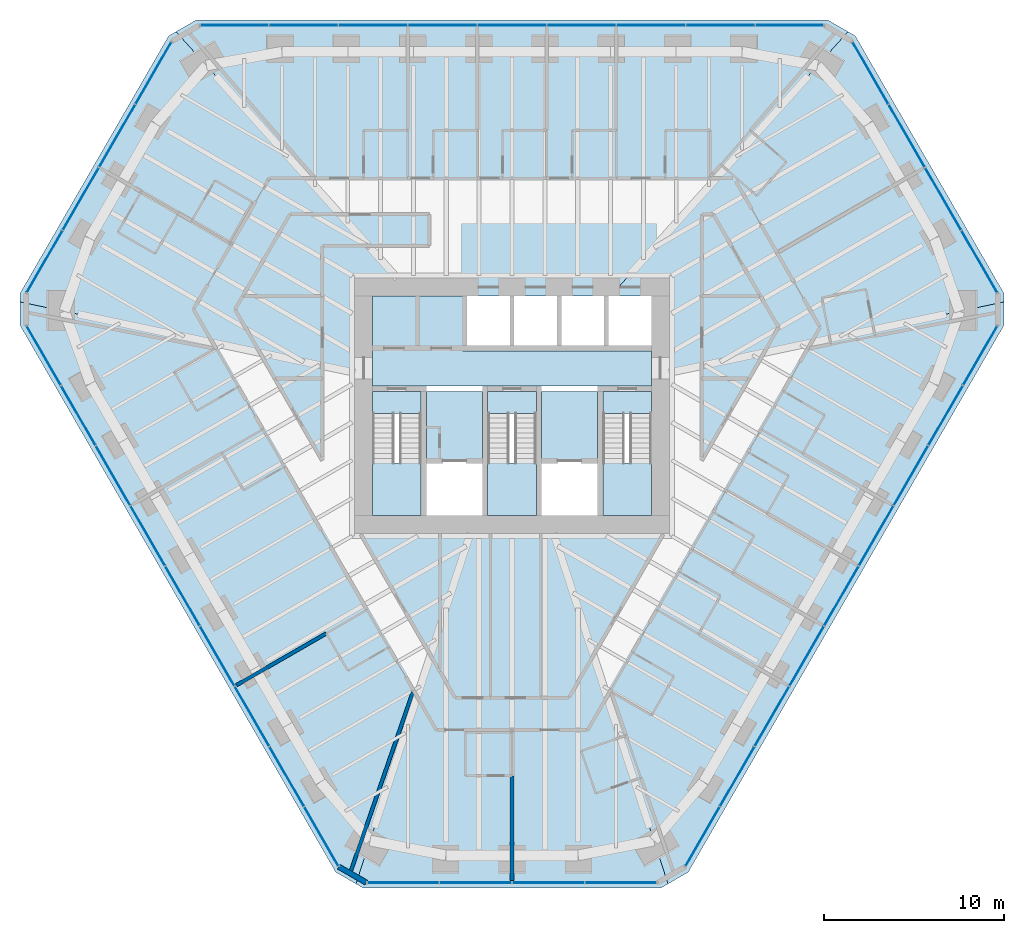
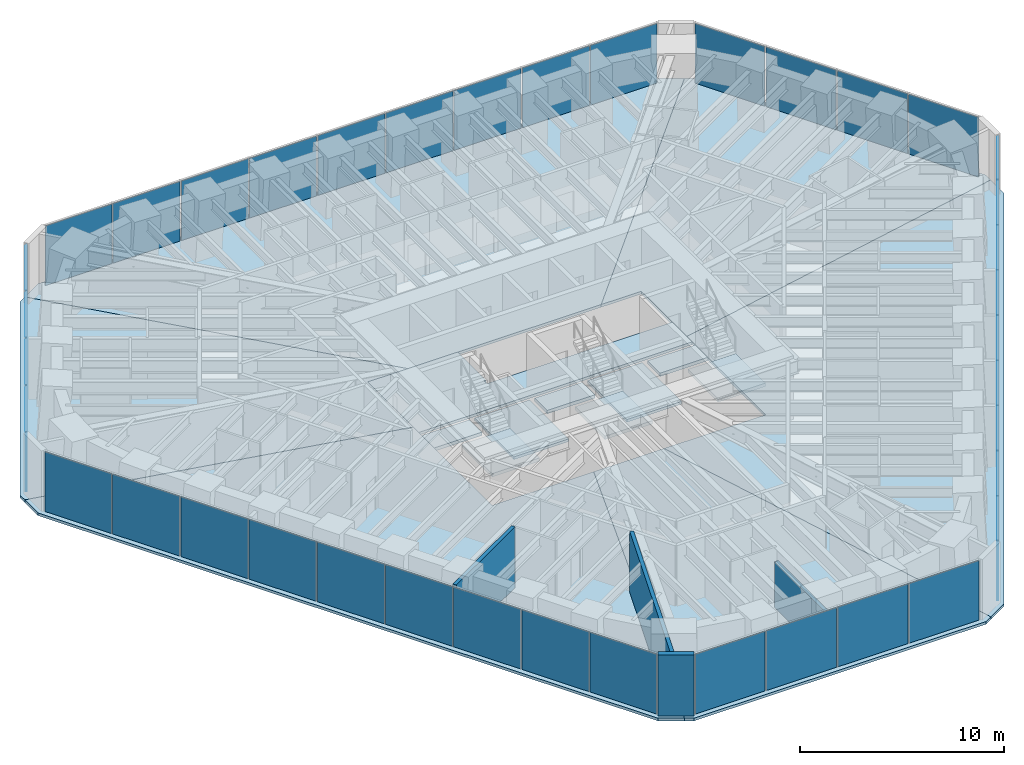
# One storey, part 10 of 17: 39 plates, 15 slabs, 4 walls, 9 elements without a shape of their own.
"""IFC4 building model written with IfcOpenShell, lengths in metres."""

from ifc_helpers import new_model, si_unit, direction, frame, frame_2d, origin, origin_2d, place, context, subcontext, project, spatial, polyline, rectangle, outline, extrude, material, layer, layer_set, type_object, element, aggregate, save


model = new_model("IFC4")

# Units and contexts
model_context = context("Model", 3, precision=1e-05, world=origin(), true_north=direction((0.0, 1.0)))
body_context = subcontext(model_context, "Body", "Model", "MODEL_VIEW")
ifc_project = project(units=[si_unit("LENGTHUNIT", "METRE"), si_unit("AREAUNIT", "SQUARE_METRE"), si_unit("VOLUMEUNIT", "CUBIC_METRE"), si_unit("PLANEANGLEUNIT", "RADIAN"), si_unit("MASSUNIT", "GRAM", prefix="KILO")], contexts=[model_context])

# Site, building, storey
site_placement = place(None, origin())
site = spatial("IfcSite", under=ifc_project, at=site_placement, CompositionType="ELEMENT")
building_placement = place(site_placement, origin())
building = spatial("IfcBuilding", under=site, at=building_placement, Name="Sandreach Pilgrim Tower", CompositionType="ELEMENT")
storey_placement = place(building_placement, frame((0.0, 0.0, 232.60009765625)))
storey = spatial("IfcBuildingStorey", under=building, at=storey_placement, Name="L58", CompositionType="ELEMENT", Elevation=232.60009765625)

# Curtain wall, plates
ifc_material_1 = material(Name="Aluminium framed curtain wall", Category="aluminium")
curtain_wall_type = type_object("IfcCurtainWallType", Name="Upper hotel tower curtain wall", PredefinedType="NOTDEFINED", material=ifc_material_1)
curtain_wall_1_placement = place(storey_placement, origin())
curtain_wall_1 = element("IfcCurtainWall", 1, at=curtain_wall_1_placement, inside=storey, type_object=curtain_wall_type, Name="CW-3 L58 N", PredefinedType="NOTDEFINED")
ifc_material_2 = material(Name="Insulating glass unit 12.76 laminated + 20 argon + 12.76 laminated", Category="glass")
ifc_layer_1 = layer(ifc_material_2, 0.0458984375)
ifc_layer_set_1 = layer_set([ifc_layer_1], Name="CW-3 panel")
plate_type = type_object("IfcPlateType", Name="CW-3 panel", PredefinedType="CURTAIN_PANEL", material=ifc_layer_set_1)
plate_1_placement = place(storey_placement, frame((-15.44140625, 21.16015625, 0.0), z_axis=(0.0, 0.0, 1.0), x_axis=(1.0, 0.0, 0.0)))
plate_1 = element("IfcPlate", 2, at=plate_1_placement, type_object=plate_type, Name="CW-3 panel 1", PredefinedType="CURTAIN_PANEL", context=body_context, shape_type="SweptSolid", body=[
    extrude(rectangle(XDim=3.766845703125, YDim=0.0458984375, at=origin_2d()), origin(), (0.0, 0.0, 1.0), 3.570068359375),
])
plate_2_placement = place(storey_placement, frame((-11.59326171875, 21.16015625, 0.0), z_axis=(0.0, 0.0, 1.0), x_axis=(1.0, 0.0, 0.0)))
plate_2 = element("IfcPlate", 3, at=plate_2_placement, type_object=plate_type, Name="CW-3 panel 2", PredefinedType="CURTAIN_PANEL", context=body_context, shape_type="SweptSolid", body=[
    extrude(rectangle(XDim=3.79931640625, YDim=0.0458984375, at=origin_2d()), origin(), (0.0, 0.0, 1.0), 3.570068359375),
])
plate_3_placement = place(storey_placement, frame((-7.728759765625, 21.16015625, 0.0), z_axis=(0.0, 0.0, 1.0), x_axis=(1.0, 0.0, 0.0)))
plate_3 = element("IfcPlate", 4, at=plate_3_placement, type_object=plate_type, Name="CW-3 panel 3", PredefinedType="CURTAIN_PANEL", context=body_context, shape_type="SweptSolid", body=[
    extrude(rectangle(XDim=3.79931640625, YDim=0.0458984375, at=origin_2d()), origin(), (0.0, 0.0, 1.0), 3.570068359375),
])
plate_4_placement = place(storey_placement, frame((-3.864501953125, 21.16015625, 0.0), z_axis=(0.0, 0.0, 1.0), x_axis=(1.0, 0.0, 0.0)))
plate_4 = element("IfcPlate", 5, at=plate_4_placement, type_object=plate_type, Name="CW-3 panel 4", PredefinedType="CURTAIN_PANEL", context=body_context, shape_type="SweptSolid", body=[
    extrude(rectangle(XDim=3.79931640625, YDim=0.0458984375, at=origin_2d()), origin(), (0.0, 0.0, 1.0), 3.570068359375),
])
plate_5_placement = place(storey_placement, frame((0.0, 21.16015625, 0.0), z_axis=(0.0, 0.0, 1.0), x_axis=(1.0, 0.0, 0.0)))
plate_5 = element("IfcPlate", 6, at=plate_5_placement, type_object=plate_type, Name="CW-3 panel 5", PredefinedType="CURTAIN_PANEL", context=body_context, shape_type="SweptSolid", body=[
    extrude(rectangle(XDim=3.79931640625, YDim=0.0458984375, at=origin_2d()), origin(), (0.0, 0.0, 1.0), 3.570068359375),
])
plate_6_placement = place(storey_placement, frame((3.864501953125, 21.16015625, 0.0), z_axis=(0.0, 0.0, 1.0), x_axis=(1.0, 0.0, 0.0)))
plate_6 = element("IfcPlate", 7, at=plate_6_placement, type_object=plate_type, Name="CW-3 panel 6", PredefinedType="CURTAIN_PANEL", context=body_context, shape_type="SweptSolid", body=[
    extrude(rectangle(XDim=3.79931640625, YDim=0.0458984375, at=origin_2d()), origin(), (0.0, 0.0, 1.0), 3.570068359375),
])
plate_7_placement = place(storey_placement, frame((7.728759765625, 21.16015625, 0.0), z_axis=(0.0, 0.0, 1.0), x_axis=(1.0, 0.0, 0.0)))
plate_7 = element("IfcPlate", 8, at=plate_7_placement, type_object=plate_type, Name="CW-3 panel 7", PredefinedType="CURTAIN_PANEL", context=body_context, shape_type="SweptSolid", body=[
    extrude(rectangle(XDim=3.79931640625, YDim=0.0458984375, at=origin_2d()), origin(), (0.0, 0.0, 1.0), 3.570068359375),
])
plate_8_placement = place(storey_placement, frame((11.59326171875, 21.16015625, 0.0), z_axis=(0.0, 0.0, 1.0), x_axis=(1.0, 0.0, 0.0)))
plate_8 = element("IfcPlate", 9, at=plate_8_placement, type_object=plate_type, Name="CW-3 panel 8", PredefinedType="CURTAIN_PANEL", context=body_context, shape_type="SweptSolid", body=[
    extrude(rectangle(XDim=3.79931640625, YDim=0.0458984375, at=origin_2d()), origin(), (0.0, 0.0, 1.0), 3.570068359375),
])
plate_9_placement = place(storey_placement, frame((15.44140625, 21.16015625, 0.0), z_axis=(0.0, 0.0, 1.0), x_axis=(1.0, 0.0, 0.0)))
plate_9 = element("IfcPlate", 10, at=plate_9_placement, type_object=plate_type, Name="CW-3 panel 9", PredefinedType="CURTAIN_PANEL", context=body_context, shape_type="SweptSolid", body=[
    extrude(rectangle(XDim=3.766845703125, YDim=0.0458984375, at=origin_2d()), origin(), (0.0, 0.0, 1.0), 3.570068359375),
])
aggregate(curtain_wall_1, [plate_1, plate_2, plate_3, plate_4, plate_5, plate_6, plate_7, plate_8, plate_9])

curtain_wall_2_placement = place(storey_placement, origin())
curtain_wall_2 = element("IfcCurtainWall", 11, at=curtain_wall_2_placement, inside=storey, type_object=curtain_wall_type, Name="CW-3 L58 NE", PredefinedType="NOTDEFINED")
plate_10_placement = place(storey_placement, frame((19.943115234375, 18.5078125, 0.0), z_axis=(0.0, 0.0, 1.0), x_axis=(0.5, -0.866025403784, 0.0)))
plate_10 = element("IfcPlate", 12, at=plate_10_placement, type_object=plate_type, Name="CW-3 panel 1", PredefinedType="CURTAIN_PANEL", context=body_context, shape_type="SweptSolid", body=[
    extrude(rectangle(XDim=3.951171875, YDim=0.0458984375, at=origin_2d()), origin(), (0.0, 0.0, 1.0), 3.570068359375),
])
plate_11_placement = place(storey_placement, frame((21.959228515625, 15.015625, 0.0), z_axis=(0.0, 0.0, 1.0), x_axis=(0.5, -0.866025403784, 0.0)))
plate_11 = element("IfcPlate", 13, at=plate_11_placement, type_object=plate_type, Name="CW-3 panel 2", PredefinedType="CURTAIN_PANEL", context=body_context, shape_type="SweptSolid", body=[
    extrude(rectangle(XDim=3.983642578125, YDim=0.0458984375, at=origin_2d()), origin(), (0.0, 0.0, 1.0), 3.570068359375),
])
plate_12_placement = place(storey_placement, frame((23.983642578125, 11.509521484375, 0.0), z_axis=(0.0, 0.0, 1.0), x_axis=(0.5, -0.866025403784, 0.0)))
plate_12 = element("IfcPlate", 14, at=plate_12_placement, type_object=plate_type, Name="CW-3 panel 3", PredefinedType="CURTAIN_PANEL", context=body_context, shape_type="SweptSolid", body=[
    extrude(rectangle(XDim=3.983642578125, YDim=0.0458984375, at=origin_2d()), origin(), (0.0, 0.0, 1.0), 3.570068359375),
])
plate_13_placement = place(storey_placement, frame((25.999755859375, 8.017333984375, 0.0), z_axis=(0.0, 0.0, 1.0), x_axis=(0.5, -0.866025403784, 0.0)))
plate_13 = element("IfcPlate", 15, at=plate_13_placement, type_object=plate_type, Name="CW-3 panel 4", PredefinedType="CURTAIN_PANEL", context=body_context, shape_type="SweptSolid", body=[
    extrude(rectangle(XDim=3.951171875, YDim=0.0458984375, at=origin_2d()), origin(), (0.0, 0.0, 1.0), 3.570068359375),
])
aggregate(curtain_wall_2, [plate_10, plate_11, plate_12, plate_13])

curtain_wall_3_placement = place(storey_placement, origin())
curtain_wall_3 = element("IfcCurtainWall", 16, at=curtain_wall_3_placement, inside=storey, type_object=curtain_wall_type, Name="CW-3 L58 SE", PredefinedType="NOTDEFINED")
plate_14_placement = place(storey_placement, frame((26.0458984375, 2.792724609375, 0.0), z_axis=(0.0, 0.0, 1.0), x_axis=(-0.5, -0.866025403784, 0.0)))
plate_14 = element("IfcPlate", 17, at=plate_14_placement, type_object=plate_type, Name="CW-3 panel 1", PredefinedType="CURTAIN_PANEL", context=body_context, shape_type="SweptSolid", body=[
    extrude(rectangle(XDim=3.766845703125, YDim=0.0458984375, at=origin_2d()), origin(), (0.0, 0.0, 1.0), 3.570068359375),
])
plate_15_placement = place(storey_placement, frame((24.121826171875, -0.5400390625, 0.0), z_axis=(0.0, 0.0, 1.0), x_axis=(-0.5, -0.866025403784, 0.0)))
plate_15 = element("IfcPlate", 18, at=plate_15_placement, type_object=plate_type, Name="CW-3 panel 2", PredefinedType="CURTAIN_PANEL", context=body_context, shape_type="SweptSolid", body=[
    extrude(rectangle(XDim=3.79931640625, YDim=0.0458984375, at=origin_2d()), origin(), (0.0, 0.0, 1.0), 3.570068359375),
])
plate_16_placement = place(storey_placement, frame((22.189697265625, -3.88671875, 0.0), z_axis=(0.0, 0.0, 1.0), x_axis=(-0.5, -0.866025403784, 0.0)))
plate_16 = element("IfcPlate", 19, at=plate_16_placement, type_object=plate_type, Name="CW-3 panel 3", PredefinedType="CURTAIN_PANEL", context=body_context, shape_type="SweptSolid", body=[
    extrude(rectangle(XDim=3.79931640625, YDim=0.0458984375, at=origin_2d()), origin(), (0.0, 0.0, 1.0), 3.570068359375),
])
plate_17_placement = place(storey_placement, frame((20.25732421875, -7.2333984375, 0.0), z_axis=(0.0, 0.0, 1.0), x_axis=(-0.5, -0.866025403784, 0.0)))
plate_17 = element("IfcPlate", 20, at=plate_17_placement, type_object=plate_type, Name="CW-3 panel 4", PredefinedType="CURTAIN_PANEL", context=body_context, shape_type="SweptSolid", body=[
    extrude(rectangle(XDim=3.79931640625, YDim=0.0458984375, at=origin_2d()), origin(), (0.0, 0.0, 1.0), 3.570068359375),
])
plate_18_placement = place(storey_placement, frame((18.3251953125, -10.580078125, 0.0), z_axis=(0.0, 0.0, 1.0), x_axis=(-0.5, -0.866025403784, 0.0)))
plate_18 = element("IfcPlate", 21, at=plate_18_placement, type_object=plate_type, Name="CW-3 panel 5", PredefinedType="CURTAIN_PANEL", context=body_context, shape_type="SweptSolid", body=[
    extrude(rectangle(XDim=3.79931640625, YDim=0.0458984375, at=origin_2d()), origin(), (0.0, 0.0, 1.0), 3.570068359375),
])
plate_19_placement = place(storey_placement, frame((16.39306640625, -13.9267578125, 0.0), z_axis=(0.0, 0.0, 1.0), x_axis=(-0.5, -0.866025403784, 0.0)))
plate_19 = element("IfcPlate", 22, at=plate_19_placement, type_object=plate_type, Name="CW-3 panel 6", PredefinedType="CURTAIN_PANEL", context=body_context, shape_type="SweptSolid", body=[
    extrude(rectangle(XDim=3.79931640625, YDim=0.0458984375, at=origin_2d()), origin(), (0.0, 0.0, 1.0), 3.570068359375),
])
plate_20_placement = place(storey_placement, frame((14.460693359375, -17.2734375, 0.0), z_axis=(0.0, 0.0, 1.0), x_axis=(-0.5, -0.866025403784, 0.0)))
plate_20 = element("IfcPlate", 23, at=plate_20_placement, type_object=plate_type, Name="CW-3 panel 7", PredefinedType="CURTAIN_PANEL", context=body_context, shape_type="SweptSolid", body=[
    extrude(rectangle(XDim=3.79931640625, YDim=0.0458984375, at=origin_2d()), origin(), (0.0, 0.0, 1.0), 3.570068359375),
])
plate_21_placement = place(storey_placement, frame((12.528564453125, -20.6201171875, 0.0), z_axis=(0.0, 0.0, 1.0), x_axis=(-0.5, -0.866025403784, 0.0)))
plate_21 = element("IfcPlate", 24, at=plate_21_placement, type_object=plate_type, Name="CW-3 panel 8", PredefinedType="CURTAIN_PANEL", context=body_context, shape_type="SweptSolid", body=[
    extrude(rectangle(XDim=3.79931640625, YDim=0.0458984375, at=origin_2d()), origin(), (0.0, 0.0, 1.0), 3.570068359375),
])
plate_22_placement = place(storey_placement, frame((10.6044921875, -23.95263671875, 0.0), z_axis=(0.0, 0.0, 1.0), x_axis=(-0.5, -0.866025403784, 0.0)))
plate_22 = element("IfcPlate", 25, at=plate_22_placement, type_object=plate_type, Name="CW-3 panel 9", PredefinedType="CURTAIN_PANEL", context=body_context, shape_type="SweptSolid", body=[
    extrude(rectangle(XDim=3.766845703125, YDim=0.0458984375, at=origin_2d()), origin(), (0.0, 0.0, 1.0), 3.570068359375),
])
aggregate(curtain_wall_3, [plate_14, plate_15, plate_16, plate_17, plate_18, plate_19, plate_20, plate_21, plate_22])

curtain_wall_4_placement = place(storey_placement, origin())
curtain_wall_4 = element("IfcCurtainWall", 26, at=curtain_wall_4_placement, inside=storey, type_object=curtain_wall_type, Name="CW-3 L58 S", PredefinedType="NOTDEFINED")
plate_23_placement = place(storey_placement, frame((6.056884765625, -26.525146484375, 0.0), z_axis=(0.0, 0.0, 1.0), x_axis=(-1.0, 0.0, 0.0)))
plate_23 = element("IfcPlate", 27, at=plate_23_placement, type_object=plate_type, Name="CW-3 panel 1", PredefinedType="CURTAIN_PANEL", context=body_context, shape_type="SweptSolid", body=[
    extrude(rectangle(XDim=3.951171875, YDim=0.0458984375, at=origin_2d()), origin(), (0.0, 0.0, 1.0), 3.570068359375),
])
plate_24_placement = place(storey_placement, frame((2.0244140625, -26.525146484375, 0.0), z_axis=(0.0, 0.0, 1.0), x_axis=(-1.0, 0.0, 0.0)))
plate_24 = element("IfcPlate", 28, at=plate_24_placement, type_object=plate_type, Name="CW-3 panel 2", PredefinedType="CURTAIN_PANEL", context=body_context, shape_type="SweptSolid", body=[
    extrude(rectangle(XDim=3.983642578125, YDim=0.0458984375, at=origin_2d()), origin(), (0.0, 0.0, 1.0), 3.570068359375),
])
plate_25_placement = place(storey_placement, frame((-2.0244140625, -26.525146484375, 0.0), z_axis=(0.0, 0.0, 1.0), x_axis=(-1.0, 0.0, 0.0)))
plate_25 = element("IfcPlate", 29, at=plate_25_placement, type_object=plate_type, Name="CW-3 panel 3", PredefinedType="CURTAIN_PANEL", context=body_context, shape_type="SweptSolid", body=[
    extrude(rectangle(XDim=3.983642578125, YDim=0.0458984375, at=origin_2d()), origin(), (0.0, 0.0, 1.0), 3.570068359375),
])
plate_26_placement = place(storey_placement, frame((-6.056884765625, -26.525146484375, 0.0), z_axis=(0.0, 0.0, 1.0), x_axis=(-1.0, 0.0, 0.0)))
plate_26 = element("IfcPlate", 30, at=plate_26_placement, type_object=plate_type, Name="CW-3 panel 4", PredefinedType="CURTAIN_PANEL", context=body_context, shape_type="SweptSolid", body=[
    extrude(rectangle(XDim=3.951171875, YDim=0.0458984375, at=origin_2d()), origin(), (0.0, 0.0, 1.0), 3.570068359375),
])
aggregate(curtain_wall_4, [plate_23, plate_24, plate_25, plate_26])

curtain_wall_5_placement = place(storey_placement, origin())
curtain_wall_5 = element("IfcCurtainWall", 31, at=curtain_wall_5_placement, inside=storey, type_object=curtain_wall_type, Name="CW-3 L58 SW", PredefinedType="NOTDEFINED")
plate_27_placement = place(storey_placement, frame((-10.6044921875, -23.95263671875, 0.0), z_axis=(0.0, 0.0, 1.0), x_axis=(-0.5, 0.866025403784, 0.0)))
plate_27 = element("IfcPlate", 32, at=plate_27_placement, type_object=plate_type, Name="CW-3 panel 1", PredefinedType="CURTAIN_PANEL", context=body_context, shape_type="SweptSolid", body=[
    extrude(rectangle(XDim=3.766845703125, YDim=0.0458984375, at=origin_2d()), origin(), (0.0, 0.0, 1.0), 3.570068359375),
])
plate_28_placement = place(storey_placement, frame((-12.528564453125, -20.6201171875, 0.0), z_axis=(0.0, 0.0, 1.0), x_axis=(-0.5, 0.866025403784, 0.0)))
plate_28 = element("IfcPlate", 33, at=plate_28_placement, type_object=plate_type, Name="CW-3 panel 2", PredefinedType="CURTAIN_PANEL", context=body_context, shape_type="SweptSolid", body=[
    extrude(rectangle(XDim=3.79931640625, YDim=0.0458984375, at=origin_2d()), origin(), (0.0, 0.0, 1.0), 3.570068359375),
])
plate_29_placement = place(storey_placement, frame((-14.460693359375, -17.2734375, 0.0), z_axis=(0.0, 0.0, 1.0), x_axis=(-0.5, 0.866025403784, 0.0)))
plate_29 = element("IfcPlate", 34, at=plate_29_placement, type_object=plate_type, Name="CW-3 panel 3", PredefinedType="CURTAIN_PANEL", context=body_context, shape_type="SweptSolid", body=[
    extrude(rectangle(XDim=3.79931640625, YDim=0.0458984375, at=origin_2d()), origin(), (0.0, 0.0, 1.0), 3.570068359375),
])
plate_30_placement = place(storey_placement, frame((-16.39306640625, -13.9267578125, 0.0), z_axis=(0.0, 0.0, 1.0), x_axis=(-0.5, 0.866025403784, 0.0)))
plate_30 = element("IfcPlate", 35, at=plate_30_placement, type_object=plate_type, Name="CW-3 panel 4", PredefinedType="CURTAIN_PANEL", context=body_context, shape_type="SweptSolid", body=[
    extrude(rectangle(XDim=3.79931640625, YDim=0.0458984375, at=origin_2d()), origin(), (0.0, 0.0, 1.0), 3.570068359375),
])
plate_31_placement = place(storey_placement, frame((-18.3251953125, -10.580078125, 0.0), z_axis=(0.0, 0.0, 1.0), x_axis=(-0.5, 0.866025403784, 0.0)))
plate_31 = element("IfcPlate", 36, at=plate_31_placement, type_object=plate_type, Name="CW-3 panel 5", PredefinedType="CURTAIN_PANEL", context=body_context, shape_type="SweptSolid", body=[
    extrude(rectangle(XDim=3.79931640625, YDim=0.0458984375, at=origin_2d()), origin(), (0.0, 0.0, 1.0), 3.570068359375),
])
plate_32_placement = place(storey_placement, frame((-20.25732421875, -7.2333984375, 0.0), z_axis=(0.0, 0.0, 1.0), x_axis=(-0.5, 0.866025403784, 0.0)))
plate_32 = element("IfcPlate", 37, at=plate_32_placement, type_object=plate_type, Name="CW-3 panel 6", PredefinedType="CURTAIN_PANEL", context=body_context, shape_type="SweptSolid", body=[
    extrude(rectangle(XDim=3.79931640625, YDim=0.0458984375, at=origin_2d()), origin(), (0.0, 0.0, 1.0), 3.570068359375),
])
plate_33_placement = place(storey_placement, frame((-22.189697265625, -3.88671875, 0.0), z_axis=(0.0, 0.0, 1.0), x_axis=(-0.5, 0.866025403784, 0.0)))
plate_33 = element("IfcPlate", 38, at=plate_33_placement, type_object=plate_type, Name="CW-3 panel 7", PredefinedType="CURTAIN_PANEL", context=body_context, shape_type="SweptSolid", body=[
    extrude(rectangle(XDim=3.79931640625, YDim=0.0458984375, at=origin_2d()), origin(), (0.0, 0.0, 1.0), 3.570068359375),
])
plate_34_placement = place(storey_placement, frame((-24.121826171875, -0.5400390625, 0.0), z_axis=(0.0, 0.0, 1.0), x_axis=(-0.5, 0.866025403784, 0.0)))
plate_34 = element("IfcPlate", 39, at=plate_34_placement, type_object=plate_type, Name="CW-3 panel 8", PredefinedType="CURTAIN_PANEL", context=body_context, shape_type="SweptSolid", body=[
    extrude(rectangle(XDim=3.79931640625, YDim=0.0458984375, at=origin_2d()), origin(), (0.0, 0.0, 1.0), 3.570068359375),
])
plate_35_placement = place(storey_placement, frame((-26.0458984375, 2.792724609375, 0.0), z_axis=(0.0, 0.0, 1.0), x_axis=(-0.5, 0.866025403784, 0.0)))
plate_35 = element("IfcPlate", 40, at=plate_35_placement, type_object=plate_type, Name="CW-3 panel 9", PredefinedType="CURTAIN_PANEL", context=body_context, shape_type="SweptSolid", body=[
    extrude(rectangle(XDim=3.766845703125, YDim=0.0458984375, at=origin_2d()), origin(), (0.0, 0.0, 1.0), 3.570068359375),
])
aggregate(curtain_wall_5, [plate_27, plate_28, plate_29, plate_30, plate_31, plate_32, plate_33, plate_34, plate_35])

curtain_wall_6_placement = place(storey_placement, origin())
curtain_wall_6 = element("IfcCurtainWall", 41, at=curtain_wall_6_placement, inside=storey, type_object=curtain_wall_type, Name="CW-3 L58 NW", PredefinedType="NOTDEFINED")
plate_36_placement = place(storey_placement, frame((-25.999755859375, 8.017333984375, 0.0), z_axis=(0.0, 0.0, 1.0), x_axis=(0.5, 0.866025403784, 0.0)))
plate_36 = element("IfcPlate", 42, at=plate_36_placement, type_object=plate_type, Name="CW-3 panel 1", PredefinedType="CURTAIN_PANEL", context=body_context, shape_type="SweptSolid", body=[
    extrude(rectangle(XDim=3.951171875, YDim=0.0458984375, at=origin_2d()), origin(), (0.0, 0.0, 1.0), 3.570068359375),
])
plate_37_placement = place(storey_placement, frame((-23.983642578125, 11.509521484375, 0.0), z_axis=(0.0, 0.0, 1.0), x_axis=(0.5, 0.866025403784, 0.0)))
plate_37 = element("IfcPlate", 43, at=plate_37_placement, type_object=plate_type, Name="CW-3 panel 2", PredefinedType="CURTAIN_PANEL", context=body_context, shape_type="SweptSolid", body=[
    extrude(rectangle(XDim=3.983642578125, YDim=0.0458984375, at=origin_2d()), origin(), (0.0, 0.0, 1.0), 3.570068359375),
])
plate_38_placement = place(storey_placement, frame((-21.959228515625, 15.015625, 0.0), z_axis=(0.0, 0.0, 1.0), x_axis=(0.5, 0.866025403784, 0.0)))
plate_38 = element("IfcPlate", 44, at=plate_38_placement, type_object=plate_type, Name="CW-3 panel 3", PredefinedType="CURTAIN_PANEL", context=body_context, shape_type="SweptSolid", body=[
    extrude(rectangle(XDim=3.983642578125, YDim=0.0458984375, at=origin_2d()), origin(), (0.0, 0.0, 1.0), 3.570068359375),
])
plate_39_placement = place(storey_placement, frame((-19.943115234375, 18.5078125, 0.0), z_axis=(0.0, 0.0, 1.0), x_axis=(0.5, 0.866025403784, 0.0)))
plate_39 = element("IfcPlate", 45, at=plate_39_placement, type_object=plate_type, Name="CW-3 panel 4", PredefinedType="CURTAIN_PANEL", context=body_context, shape_type="SweptSolid", body=[
    extrude(rectangle(XDim=3.951171875, YDim=0.0458984375, at=origin_2d()), origin(), (0.0, 0.0, 1.0), 3.570068359375),
])
aggregate(curtain_wall_6, [plate_36, plate_37, plate_38, plate_39])

# Slabs
ifc_material_3 = material(Name="Concrete 8000 psi", Category="concrete")
ifc_layer_2 = layer(ifc_material_3, 0.159912109375)
ifc_layer_set_2 = layer_set([ifc_layer_2], Name="Composite floor slab 160")
slab_type_1 = type_object("IfcSlabType", Name="Composite floor slab 160", PredefinedType="FLOOR", material=ifc_layer_set_2)
slab_1_placement = place(storey_placement, frame((0.0, 0.0, -0.16015625)))
element("IfcSlab", 46, at=slab_1_placement, inside=storey, type_object=slab_type_1, Name="Floor slab L58 N sector", PredefinedType="FLOOR", context=body_context, shape_type="SweptSolid", body=[
    extrude(outline(polyline([(-17.56298828125, 21.460205078125), (17.56298828125, 21.460205078125), (18.68701171875, 20.81103515625), (5.477294921875, 6.10009765625), (-5.477294921875, 6.10009765625), (-18.68701171875, 20.81103515625), (-17.56298828125, 21.460205078125)])), origin(), (0.0, 0.0, 1.0), 0.16015625),
])
slab_2_placement = place(storey_placement, frame((0.0, 0.0, -0.16015625)))
element("IfcSlab", 47, at=slab_2_placement, inside=storey, type_object=slab_type_1, Name="Floor slab L58 NE sector", PredefinedType="FLOOR", context=body_context, shape_type="SweptSolid", body=[
    extrude(outline(polyline([(19.095947265625, 20.5751953125), (27.366455078125, 6.25), (27.366455078125, 5.778076171875), (7.75, 1.63623046875), (7.75, 6.10009765625), (5.477294921875, 6.10009765625), (18.68701171875, 20.81103515625), (19.095947265625, 20.5751953125)])), origin(), (0.0, 0.0, 1.0), 0.16015625),
])
slab_3_placement = place(storey_placement, frame((0.0, 0.0, -0.16015625)))
element("IfcSlab", 48, at=slab_3_placement, inside=storey, type_object=slab_type_1, Name="Floor slab L58 SE sector", PredefinedType="FLOOR", context=body_context, shape_type="SweptSolid", body=[
    extrude(outline(polyline([(27.366455078125, 4.47998046875), (9.803466796875, -25.940185546875), (8.679443359375, -26.589111328125), (1.9912109375, -6.10009765625), (7.75, -6.10009765625), (7.75, 1.63623046875), (27.366455078125, 5.778076171875), (27.366455078125, 4.47998046875)])), origin(), (0.0, 0.0, 1.0), 0.16015625),
])
slab_4_placement = place(storey_placement, frame((0.0, 0.0, -0.16015625)))
element("IfcSlab", 49, at=slab_4_placement, inside=storey, type_object=slab_type_1, Name="Floor slab L58 S sector", PredefinedType="FLOOR", context=body_context, shape_type="SweptSolid", body=[
    extrude(outline(polyline([(8.2705078125, -26.8251953125), (-8.2705078125, -26.8251953125), (-8.679443359375, -26.589111328125), (-1.9912109375, -6.10009765625), (1.9912109375, -6.10009765625), (8.679443359375, -26.589111328125), (8.2705078125, -26.8251953125)])), origin(), (0.0, 0.0, 1.0), 0.16015625),
])
slab_5_placement = place(storey_placement, frame((0.0, 0.0, -0.16015625)))
element("IfcSlab", 50, at=slab_5_placement, inside=storey, type_object=slab_type_1, Name="Floor slab L58 SW sector", PredefinedType="FLOOR", context=body_context, shape_type="SweptSolid", body=[
    extrude(outline(polyline([(-9.803466796875, -25.940185546875), (-27.366455078125, 4.47998046875), (-27.366455078125, 5.778076171875), (-7.75, 1.63623046875), (-7.75, -6.10009765625), (-1.9912109375, -6.10009765625), (-8.679443359375, -26.589111328125), (-9.803466796875, -25.940185546875)])), origin(), (0.0, 0.0, 1.0), 0.16015625),
])
slab_6_placement = place(storey_placement, frame((0.0, 0.0, -0.16015625)))
element("IfcSlab", 51, at=slab_6_placement, inside=storey, type_object=slab_type_1, Name="Floor slab L58 NW sector", PredefinedType="FLOOR", context=body_context, shape_type="SweptSolid", body=[
    extrude(outline(polyline([(-27.366455078125, 6.25), (-19.095947265625, 20.5751953125), (-18.68701171875, 20.81103515625), (-5.477294921875, 6.10009765625), (-7.75, 6.10009765625), (-7.75, 1.63623046875), (-27.366455078125, 5.778076171875), (-27.366455078125, 6.25)])), origin(), (0.0, 0.0, 1.0), 0.16015625),
])
slab_7_placement = place(storey_placement, frame((0.0, 0.0, -0.16015625)))
element("IfcSlab", 52, at=slab_7_placement, inside=storey, type_object=slab_type_1, Name="Core floor slab L58", PredefinedType="FLOOR", context=body_context, shape_type="SweptSolid", body=[
    extrude(outline(polyline([(-2.75, 3.35009765625), (-2.75, 3.050048828125), (-0.125, 3.050048828125), (0.125, 3.050048828125), (2.5, 3.050048828125), (2.75, 3.050048828125), (5.125, 3.050048828125), (5.375, 3.050048828125), (7.75, 3.050048828125), (7.75, 1.10009765625), (5.050048828125, 1.10009765625), (4.75, 1.10009765625), (1.64990234375, 1.10009765625), (1.35009765625, 1.10009765625), (-1.35009765625, 1.10009765625), (-1.64990234375, 1.10009765625), (-4.75, 1.10009765625), (-5.050048828125, 1.10009765625), (-7.75, 1.10009765625), (-7.75, 6.10009765625), (-2.64990234375, 6.10009765625), (-2.64990234375, 3.35009765625), (-2.75, 3.35009765625)])), origin(), (0.0, 0.0, 1.0), 0.16015625),
])
slab_8_placement = place(storey_placement, frame((0.0, 0.0, -0.16015625)))
element("IfcSlab", 53, at=slab_8_placement, inside=storey, type_object=slab_type_1, Name="Core floor slab L58 2", PredefinedType="FLOOR", context=body_context, shape_type="SweptSolid", body=[
    extrude(outline(polyline([(-1.64990234375, -3.050048828125), (-4.75, -3.050048828125), (-4.75, 0.800048828125), (-1.64990234375, 0.800048828125), (-1.64990234375, -3.050048828125)])), origin(), (0.0, 0.0, 1.0), 0.16015625),
])
slab_9_placement = place(storey_placement, frame((0.0, 0.0, -0.16015625)))
element("IfcSlab", 54, at=slab_9_placement, inside=storey, type_object=slab_type_1, Name="Core floor slab L58 3", PredefinedType="FLOOR", context=body_context, shape_type="SweptSolid", body=[
    extrude(outline(polyline([(4.75, -3.050048828125), (1.64990234375, -3.050048828125), (1.64990234375, 0.800048828125), (4.75, 0.800048828125), (4.75, -3.050048828125)])), origin(), (0.0, 0.0, 1.0), 0.16015625),
])

# Stair, slabs
ifc_material_4 = material(Name="Concrete 8000 psi", Category="concrete")
stair_type = type_object("IfcStairType", Name="Core exit stair", PredefinedType="HALF_TURN_STAIR", material=ifc_material_4)
stair_1_placement = place(storey_placement, origin())
stair_1 = element("IfcStair", 55, at=stair_1_placement, inside=storey, type_object=stair_type, Name="Exit stair ST1 L58", PredefinedType="HALF_TURN_STAIR")
ifc_material_5 = material(Name="Concrete 8000 psi", Category="concrete")
ifc_layer_3 = layer(ifc_material_5, 0.199951171875)
ifc_layer_set_3 = layer_set([ifc_layer_3], Name="Core stair landing 200")
slab_type_2 = type_object("IfcSlabType", Name="Core stair landing 200", PredefinedType="LANDING", material=ifc_layer_set_3)
slab_10_placement = place(storey_placement, frame((0.0, 0.0, -0.2001953125)))
slab_10 = element("IfcSlab", 56, at=slab_10_placement, type_object=slab_type_2, Name="ST1 landing 1", PredefinedType="LANDING", context=body_context, shape_type="SweptSolid", body=[
    extrude(outline(polyline([(-7.75, -0.425048828125), (-5.050048828125, -0.425048828125), (-5.050048828125, 0.800048828125), (-7.75, 0.800048828125), (-7.75, -0.425048828125)])), origin(), (0.0, 0.0, 1.0), 0.2001953125),
])
slab_11_placement = place(storey_placement, frame((0.0, 0.0, 1.699951171875)))
slab_11 = element("IfcSlab", 57, at=slab_11_placement, type_object=slab_type_2, Name="ST1 landing 2", PredefinedType="LANDING", context=body_context, shape_type="SweptSolid", body=[
    extrude(outline(polyline([(-7.75, -6.10009765625), (-5.050048828125, -6.10009765625), (-5.050048828125, -3.175048828125), (-7.75, -3.175048828125), (-7.75, -6.10009765625)])), origin(), (0.0, 0.0, 1.0), 0.199951171875),
])
aggregate(stair_1, [slab_10, slab_11])

stair_2_placement = place(storey_placement, origin())
stair_2 = element("IfcStair", 58, at=stair_2_placement, inside=storey, type_object=stair_type, Name="Exit stair ST3 L58", PredefinedType="HALF_TURN_STAIR")
slab_12_placement = place(storey_placement, frame((0.0, 0.0, -0.2001953125)))
slab_12 = element("IfcSlab", 59, at=slab_12_placement, type_object=slab_type_2, Name="ST3 landing 1", PredefinedType="LANDING", context=body_context, shape_type="SweptSolid", body=[
    extrude(outline(polyline([(-1.35009765625, -0.425048828125), (1.35009765625, -0.425048828125), (1.35009765625, 0.800048828125), (-1.35009765625, 0.800048828125), (-1.35009765625, -0.425048828125)])), origin(), (0.0, 0.0, 1.0), 0.2001953125),
])
slab_13_placement = place(storey_placement, frame((0.0, 0.0, 1.699951171875)))
slab_13 = element("IfcSlab", 60, at=slab_13_placement, type_object=slab_type_2, Name="ST3 landing 2", PredefinedType="LANDING", context=body_context, shape_type="SweptSolid", body=[
    extrude(outline(polyline([(-1.35009765625, -6.10009765625), (1.35009765625, -6.10009765625), (1.35009765625, -3.175048828125), (-1.35009765625, -3.175048828125), (-1.35009765625, -6.10009765625)])), origin(), (0.0, 0.0, 1.0), 0.199951171875),
])
aggregate(stair_2, [slab_12, slab_13])

stair_3_placement = place(storey_placement, origin())
stair_3 = element("IfcStair", 61, at=stair_3_placement, inside=storey, type_object=stair_type, Name="Exit stair ST2 L58", PredefinedType="HALF_TURN_STAIR")
slab_14_placement = place(storey_placement, frame((0.0, 0.0, -0.2001953125)))
slab_14 = element("IfcSlab", 62, at=slab_14_placement, type_object=slab_type_2, Name="ST2 landing 1", PredefinedType="LANDING", context=body_context, shape_type="SweptSolid", body=[
    extrude(outline(polyline([(5.050048828125, -0.425048828125), (7.75, -0.425048828125), (7.75, 0.800048828125), (5.050048828125, 0.800048828125), (5.050048828125, -0.425048828125)])), origin(), (0.0, 0.0, 1.0), 0.2001953125),
])
slab_15_placement = place(storey_placement, frame((0.0, 0.0, 1.699951171875)))
slab_15 = element("IfcSlab", 63, at=slab_15_placement, type_object=slab_type_2, Name="ST2 landing 2", PredefinedType="LANDING", context=body_context, shape_type="SweptSolid", body=[
    extrude(outline(polyline([(5.050048828125, -6.10009765625), (7.75, -6.10009765625), (7.75, -3.175048828125), (5.050048828125, -3.175048828125), (5.050048828125, -6.10009765625)])), origin(), (0.0, 0.0, 1.0), 0.199951171875),
])
aggregate(stair_3, [slab_14, slab_15])

# Walls
ifc_material_6 = material(Name="Double steel stud acoustic wall, gypsum board", Category="steel")
ifc_layer_4 = layer(ifc_material_6, 0.199951171875)
ifc_layer_set_4 = layer_set([ifc_layer_4], Name="Party wall 200")
wall_type_1 = type_object("IfcWallType", Name="Party wall 200", PredefinedType="PARTITIONING", material=ifc_layer_set_4)
wall_1_placement = place(storey_placement, frame((-15.325927734375, -15.5400390625, 0.0), z_axis=(0.0, 0.0, 1.0), x_axis=(0.866342721203, 0.499449986905, 0.0)))
element("IfcWall", 64, at=wall_1_placement, inside=storey, type_object=wall_type_1, Name="Party wall L58-023", PredefinedType="PARTITIONING", context=body_context, shape_type="SweptSolid", body=[
    extrude(rectangle(XDim=5.7666015625, YDim=0.199951171875, at=frame_2d((2.88330078125, 0.0))), origin(), (0.0, 0.0, 1.0), 3.639892578125),
])
wall_2_placement = place(storey_placement, frame((-9.01025390625, -26.01171875, 0.0), z_axis=(0.0, 0.0, 1.0), x_axis=(0.327582991606, 0.944822408504, 0.0)))
element("IfcWall", 65, at=wall_2_placement, inside=storey, type_object=wall_type_1, Name="Party wall L58-044", PredefinedType="PARTITIONING", context=body_context, shape_type="SweptSolid", body=[
    extrude(rectangle(XDim=10.66650390625, YDim=0.199951171875, at=frame_2d((5.333251953125, 0.0))), origin(), (0.0, 0.0, 1.0), 3.639892578125),
])
wall_3_placement = place(storey_placement, frame((0.0, -26.409912109375, 0.0), z_axis=(0.0, 0.0, 1.0), x_axis=(0.0, 1.0, 0.0)))
element("IfcWall", 66, at=wall_3_placement, inside=storey, type_object=wall_type_1, Name="Party wall L58-072", PredefinedType="PARTITIONING", context=body_context, shape_type="SweptSolid", body=[
    extrude(rectangle(XDim=5.829833984375, YDim=0.199951171875, at=frame_2d((2.9150390625, 0.0))), origin(), (0.0, 0.0, 1.0), 2.7255859375),
])
ifc_material_7 = material(Name="Terracotta rainscreen on concrete", Category="masonry")
ifc_layer_5 = layer(ifc_material_7, 0.300048828125)
ifc_layer_set_5 = layer_set([ifc_layer_5], Name="Terracotta chamfer pier")
wall_type_2 = type_object("IfcWallType", Name="Terracotta chamfer pier", PredefinedType="SOLIDWALL", material=ifc_layer_set_5)
wall_4_placement = place(storey_placement, frame((-8.097412109375, -26.525146484375, 0.0), z_axis=(0.0, 0.0, 1.0), x_axis=(-0.866036293601, 0.499981137809, 0.0)))
element("IfcWall", 67, at=wall_4_placement, inside=storey, type_object=wall_type_2, Name="Chamfer pier L58 S", PredefinedType="SOLIDWALL", context=body_context, shape_type="SweptSolid", body=[
    extrude(rectangle(XDim=1.77001953125, YDim=0.300048828125, at=frame_2d((0.885009765625, 0.0))), origin(), (0.0, 0.0, 1.0), 3.639892578125),
])

save(model, "model.ifc")
